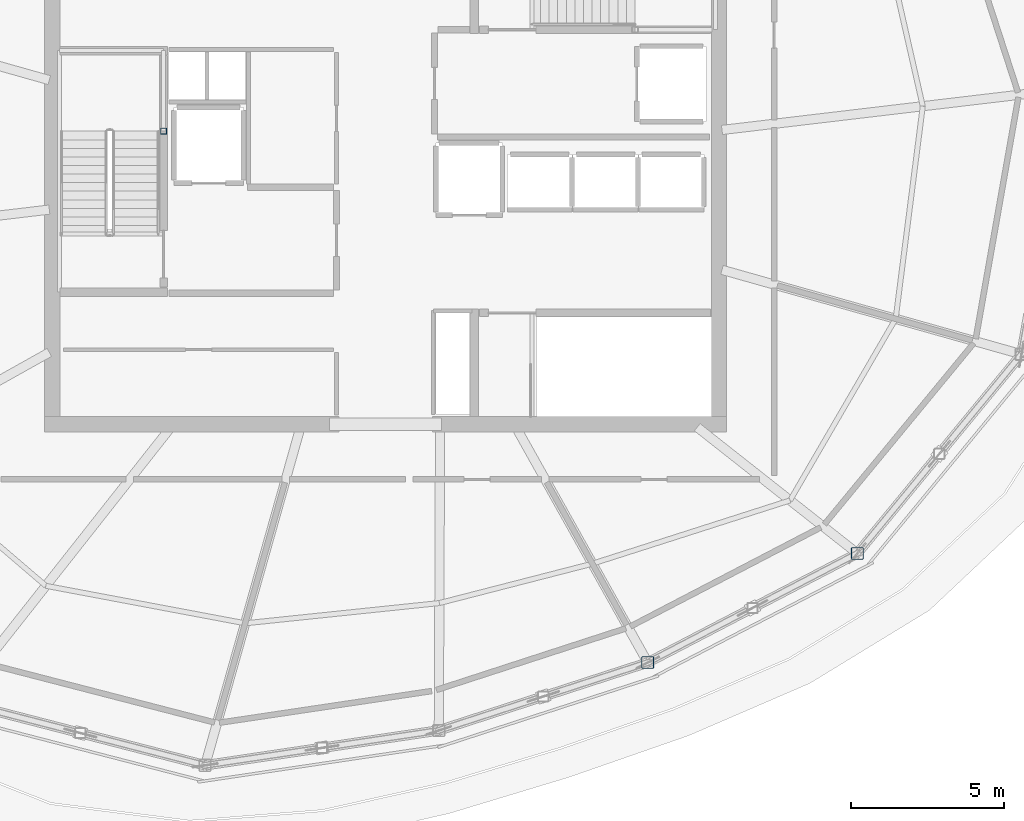
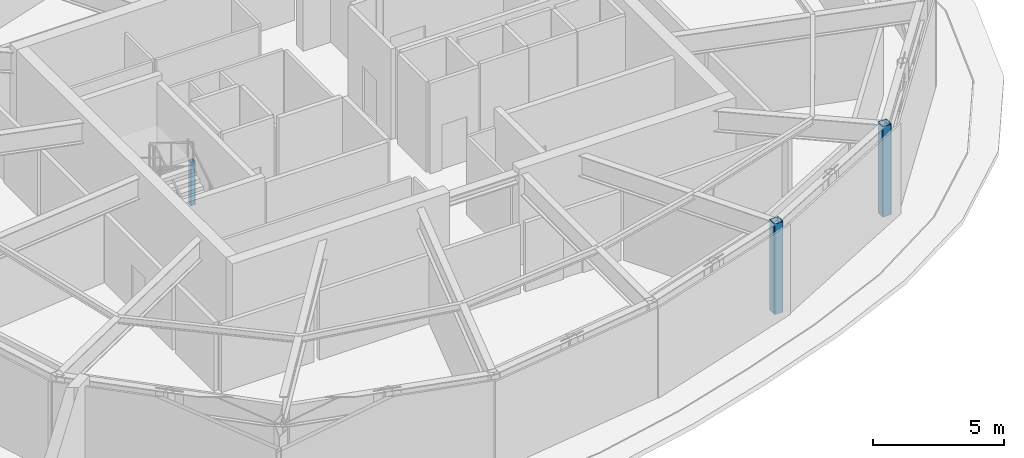
# One storey, part 2 of 14: 3 columns.
"""IFC4 building model written with IfcOpenShell, lengths in metres."""

from ifc_helpers import new_model, si_unit, direction, frame, origin, origin_2d, place, context, subcontext, project, spatial, hollow_rectangle, extrude, material, material_profile, profile_set, type_object, element, save


model = new_model("IFC4")

# Units and contexts
model_context = context("Model", 3, precision=1e-05, world=origin(), true_north=direction((0.0, 1.0)))
body_context = subcontext(model_context, "Body", "Model", "MODEL_VIEW")
ifc_project = project(units=[si_unit("LENGTHUNIT", "METRE"), si_unit("AREAUNIT", "SQUARE_METRE"), si_unit("VOLUMEUNIT", "CUBIC_METRE"), si_unit("PLANEANGLEUNIT", "RADIAN"), si_unit("MASSUNIT", "GRAM", prefix="KILO")], contexts=[model_context])

# Site, building, storey
site_placement = place(None, origin())
site = spatial("IfcSite", under=ifc_project, at=site_placement, CompositionType="ELEMENT")
building_placement = place(site_placement, origin())
building = spatial("IfcBuilding", under=site, at=building_placement, Name="Kazma Halo Residences", CompositionType="ELEMENT")
storey_placement = place(building_placement, frame((0.0, 0.0, 351.5)))
storey = spatial("IfcBuildingStorey", under=building, at=storey_placement, Name="L88", CompositionType="ELEMENT", Elevation=351.5)

# Columns
ifc_material = material(Name="Steel S355", Category="steel")
ifc_material_profile_1 = material_profile(ifc_material, hollow_rectangle(XDim=0.39990234375, YDim=0.39990234375, WallThickness=0.02001953125, InnerFilletRadius=0.02001953125, OuterFilletRadius=0.0400390625, at=origin_2d()), Name="SHS400x400x20")
ifc_profile_set_1 = profile_set([ifc_material_profile_1], Name="Steel S355")
column_type_1 = type_object("IfcColumnType", Name="COL-CROWN-SHS400", PredefinedType="COLUMN", material=ifc_profile_set_1)
for number, where, z_axis, x_axis, name in (
    (1, (56.9765625, 25.97119140625, 0.0), (0.0, 0.0, 1.0), (1.0, 0.0, 0.0), "L88 perimeter ring column P13"),
    (2, (63.815185546875, 29.532470703125, 0.0), (0.0, 0.0, 1.0), (1.0, 0.0, 0.0), "L88 perimeter ring column P14"),
):
    element("IfcColumn", number, at=place(storey_placement, frame(where, z_axis=z_axis, x_axis=x_axis)), inside=storey, type_object=column_type_1, Name=name, PredefinedType="COLUMN", context=body_context, shape_type="SweptSolid", body=[
        extrude(hollow_rectangle(XDim=0.39990234375, YDim=0.39990234375, WallThickness=0.02001953125, InnerFilletRadius=0.02001953125, OuterFilletRadius=0.0400390625, at=origin_2d()), origin(), (0.0, 0.0, 1.0), 4.219970703125),
    ])
ifc_material_profile_2 = material_profile(ifc_material, hollow_rectangle(XDim=0.199951171875, YDim=0.199951171875, WallThickness=0.010009765625, InnerFilletRadius=0.010009765625, OuterFilletRadius=0.02001953125, at=origin_2d()), Name="SHS200x200x10")
ifc_profile_set_2 = profile_set([ifc_material_profile_2], Name="Steel S355")
column_type_2 = type_object("IfcColumnType", Name="COL-LP-SHS200", PredefinedType="COLUMN", material=ifc_profile_set_2)
column_placement = place(storey_placement, frame((41.179931640625, 43.31005859375, 0.0), z_axis=(0.0, 0.0, 1.0), x_axis=(1.0, 0.0, 0.0)))
element("IfcColumn", 3, at=column_placement, inside=storey, type_object=column_type_2, Name="L88 ST-01 landing pilaster 1", PredefinedType="COLUMN", context=body_context, shape_type="SweptSolid", body=[
    extrude(hollow_rectangle(XDim=0.199951171875, YDim=0.199951171875, WallThickness=0.010009765625, InnerFilletRadius=0.010009765625, OuterFilletRadius=0.02001953125, at=origin_2d()), origin(), (0.0, 0.0, 1.0), 2.044921875),
])

save(model, "model.ifc")
